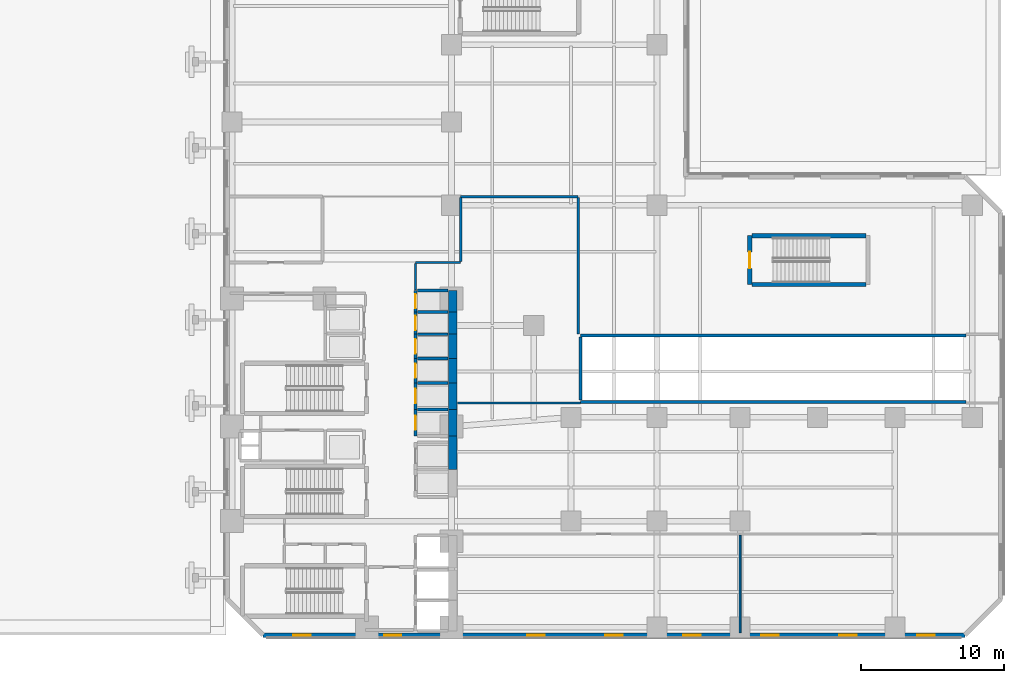
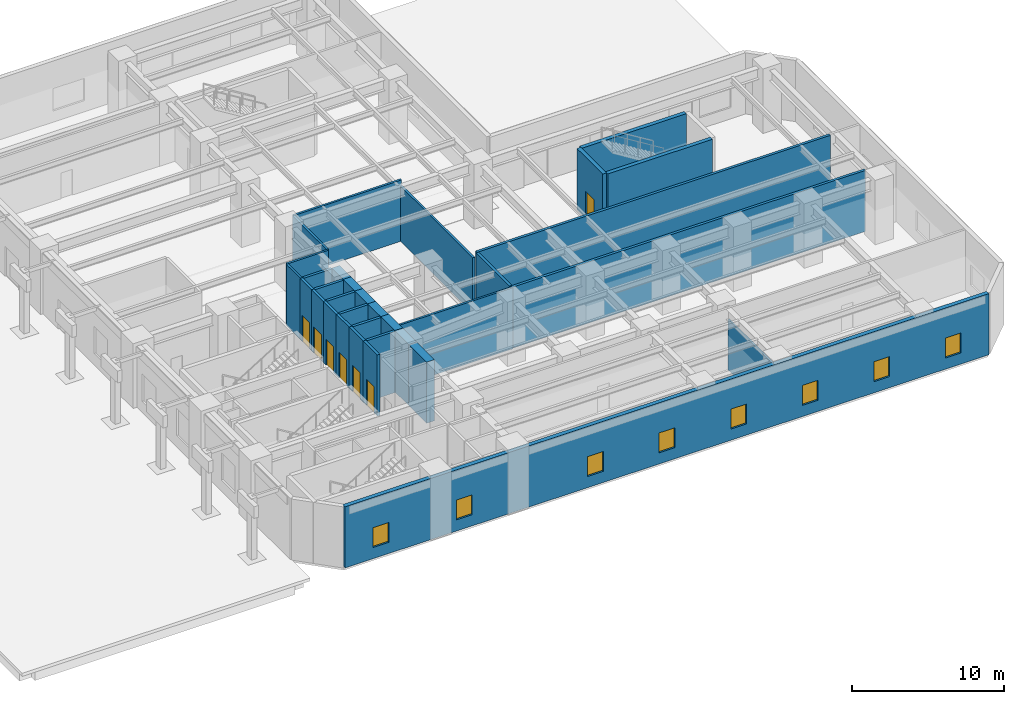
# One storey, part 5 of 14: 33 walls, 8 windows, 7 doors, 15 openings.
"""IFC4 building model written with IfcOpenShell, lengths in metres."""

from ifc_helpers import new_model, si_unit, direction, frame, frame_2d, origin, place, context, subcontext, project, spatial, rectangle, extrude, material, layer, layer_set, type_object, element, fill, save


model = new_model("IFC4")

# Units and contexts
model_context = context("Model", 3, precision=1e-05, world=origin(), true_north=direction((0.0, 1.0)))
body_context = subcontext(model_context, "Body", "Model", "MODEL_VIEW")
ifc_project = project(units=[si_unit("LENGTHUNIT", "METRE"), si_unit("AREAUNIT", "SQUARE_METRE"), si_unit("VOLUMEUNIT", "CUBIC_METRE"), si_unit("PLANEANGLEUNIT", "RADIAN"), si_unit("MASSUNIT", "GRAM", prefix="KILO")], contexts=[model_context])

# Site, building, storey
site_placement = place(None, origin())
site = spatial("IfcSite", under=ifc_project, at=site_placement, CompositionType="ELEMENT")
building_placement = place(site_placement, origin())
building = spatial("IfcBuilding", under=site, at=building_placement, Name="Mawjaban Terraces University", CompositionType="ELEMENT")
storey_placement = place(building_placement, origin())
storey = spatial("IfcBuildingStorey", under=building, at=storey_placement, Name="L00", CompositionType="ELEMENT", Elevation=0.0)

# Walls
ifc_material_1 = material(Name="Concrete C70/85", Category="concrete")
ifc_layer_1 = layer(ifc_material_1, 0.60009765625)
ifc_layer_set_1 = layer_set([ifc_layer_1], Name="Concrete C70/85")
wall_type_1 = type_object("IfcWallType", Name="CoreShearWall_600", PredefinedType="SHEAR", material=ifc_layer_set_1)
wall_1_placement = place(storey_placement, frame((37.75, 11.550048828125, 0.0), z_axis=(0.0, 0.0, 1.0), x_axis=(0.0, 1.0, 0.0)))
element("IfcWall", 1, at=wall_1_placement, inside=storey, type_object=wall_type_1, Name="L00 Lift PL-H2 Hoistway Wall East", PredefinedType="SHEAR", context=body_context, shape_type="SweptSolid", body=[
    extrude(rectangle(XDim=2.349853515625, YDim=0.60009765625, at=frame_2d((1.1748046875, 0.0))), origin(), (0.0, 0.0, 1.0), 4.919921875),
])
for number, where, z_axis, x_axis, name in (
    (2, (37.75, 13.89990234375, 0.0), (0.0, 0.0, 1.0), (0.0, 1.0, 0.0), "L00 Lift OL-1 Hoistway Wall East"),
    (3, (37.75, 15.75, 0.0), (0.0, 0.0, 1.0), (0.0, 1.0, 0.0), "L00 Lift OL-2 Hoistway Wall East"),
):
    element("IfcWall", number, at=place(storey_placement, frame(where, z_axis=z_axis, x_axis=x_axis)), inside=storey, type_object=wall_type_1, Name=name, PredefinedType="SHEAR", context=body_context, shape_type="SweptSolid", body=[
        extrude(rectangle(XDim=1.85009765625, YDim=0.60009765625, at=frame_2d((0.925048828125, 0.0))), origin(), (0.0, 0.0, 1.0), 4.919921875),
    ])
for number, where, z_axis, x_axis, name in (
    (4, (37.75, 17.60009765625, 0.0), (0.0, 0.0, 1.0), (0.0, 1.0, 0.0), "L00 Lift PL-M1 Hoistway Wall East"),
    (5, (37.75, 19.300048828125, 0.0), (0.0, 0.0, 1.0), (0.0, 1.0, 0.0), "L00 Lift PL-M2 Hoistway Wall East"),
):
    element("IfcWall", number, at=place(storey_placement, frame(where, z_axis=z_axis, x_axis=x_axis)), inside=storey, type_object=wall_type_1, Name=name, PredefinedType="SHEAR", context=body_context, shape_type="SweptSolid", body=[
        extrude(rectangle(XDim=1.699951171875, YDim=0.60009765625, at=frame_2d((0.85009765625, 0.0))), origin(), (0.0, 0.0, 1.0), 4.919921875),
    ])
wall_2_placement = place(storey_placement, frame((37.75, 21.0, 0.0), z_axis=(0.0, 0.0, 1.0), x_axis=(0.0, 1.0, 0.0)))
element("IfcWall", 6, at=wall_2_placement, inside=storey, type_object=wall_type_1, Name="L00 Lift PL-L1 Hoistway Wall East", PredefinedType="SHEAR", context=body_context, shape_type="SweptSolid", body=[
    extrude(rectangle(XDim=1.550048828125, YDim=0.60009765625, at=frame_2d((0.77490234375, 0.0))), origin(), (0.0, 0.0, 1.0), 4.919921875),
])
wall_3_placement = place(storey_placement, frame((37.75, 22.550048828125, 0.0), z_axis=(0.0, 0.0, 1.0), x_axis=(0.0, 1.0, 0.0)))
element("IfcWall", 7, at=wall_3_placement, inside=storey, type_object=wall_type_1, Name="L00 Lift PL-L2 Hoistway Wall East", PredefinedType="SHEAR", context=body_context, shape_type="SweptSolid", body=[
    extrude(rectangle(XDim=1.5, YDim=0.60009765625, at=frame_2d((0.75, 0.0))), origin(), (0.0, 0.0, 1.0), 4.919921875),
])
ifc_material_2 = material(Name="Fire-rated gypsum board on steel stud", Category="steel")
ifc_layer_2 = layer(ifc_material_2, 0.159912109375)
ifc_layer_set_2 = layer_set([ifc_layer_2], Name="Fire-rated gypsum board on steel stud")
wall_type_2 = type_object("IfcWallType", Name="CorridorPartition_160", PredefinedType="PARTITIONING", material=ifc_layer_set_2)
wall_4_placement = place(storey_placement, frame((35.14990234375, 26.0, 0.0), z_axis=(0.0, 0.0, 1.0), x_axis=(1.0, 0.0, 0.0)))
element("IfcWall", 8, at=wall_4_placement, inside=storey, type_object=wall_type_2, Name="L00 Core Entrance Vestibule Partition 11", PredefinedType="PARTITIONING", context=body_context, shape_type="SweptSolid", body=[
    extrude(rectangle(XDim=3.150146484375, YDim=0.159912109375, at=frame_2d((1.5751953125, 0.0))), origin(), (0.0, 0.0, 1.0), 4.919921875),
])
wall_5_placement = place(storey_placement, frame((38.300048828125, 30.60009765625, 0.0), z_axis=(0.0, 0.0, 1.0), x_axis=(1.0, 0.0, 0.0)))
element("IfcWall", 9, at=wall_5_placement, inside=storey, type_object=wall_type_2, Name="L00 Main Campus Entrance Concourse Partition 14", PredefinedType="PARTITIONING", context=body_context, shape_type="SweptSolid", body=[
    extrude(rectangle(XDim=8.199951171875, YDim=0.159912109375, at=frame_2d((4.10009765625, 0.0))), origin(), (0.0, 0.0, 1.0), 4.919921875),
])
wall_6_placement = place(storey_placement, frame((46.64990234375, 16.199951171875, 0.0), z_axis=(0.0, 0.0, 1.0), x_axis=(-1.0, 0.0, 0.0)))
element("IfcWall", 10, at=wall_6_placement, inside=storey, type_object=wall_type_2, Name="L00 Podium Lecture Theatre Foyer Partition 15", PredefinedType="PARTITIONING", context=body_context, shape_type="SweptSolid", body=[
    extrude(rectangle(XDim=8.56982421875, YDim=0.159912109375, at=frame_2d((4.284912109375, 0.0))), origin(), (0.0, 0.0, 1.0), 4.919921875),
])
wall_7_placement = place(storey_placement, frame((35.14990234375, 24.070068359375, 0.0), z_axis=(0.0, 0.0, 1.0), x_axis=(0.0, 1.0, 0.0)))
element("IfcWall", 11, at=wall_7_placement, inside=storey, type_object=wall_type_2, Name="L00 North Core Cross-Corridor Partition 28", PredefinedType="PARTITIONING", context=body_context, shape_type="SweptSolid", body=[
    extrude(rectangle(XDim=1.85498046875, YDim=0.159912109375, at=frame_2d((0.927490234375, 0.0))), origin(), (0.0, 0.0, 1.0), 4.919921875),
])
wall_8_placement = place(storey_placement, frame((38.300048828125, 26.074951171875, 0.0), z_axis=(0.0, 0.0, 1.0), x_axis=(0.0, 1.0, 0.0)))
element("IfcWall", 12, at=wall_8_placement, inside=storey, type_object=wall_type_2, Name="L00 Core Entrance Vestibule Partition 30", PredefinedType="PARTITIONING", context=body_context, shape_type="SweptSolid", body=[
    extrude(rectangle(XDim=4.449951171875, YDim=0.159912109375, at=frame_2d((2.22509765625, 0.0))), origin(), (0.0, 0.0, 1.0), 4.919921875),
])
wall_9_placement = place(storey_placement, frame((46.5, 30.52490234375, 0.0), z_axis=(0.0, 0.0, 1.0), x_axis=(0.0, -1.0, 0.0)))
element("IfcWall", 13, at=wall_9_placement, inside=storey, type_object=wall_type_2, Name="L00 Service Ramp Control Lobby Partition 31", PredefinedType="PARTITIONING", context=body_context, shape_type="SweptSolid", body=[
    extrude(rectangle(XDim=9.52490234375, YDim=0.159912109375, at=frame_2d((4.762451171875, 0.0))), origin(), (0.0, 0.0, 1.0), 4.450927734375),
])

# Wall, openings, windows
ifc_material_3 = material(Name="Insulated terracotta rainscreen on concrete backup C40/50", Category="masonry")
ifc_layer_3 = layer(ifc_material_3, 0.320068359375)
ifc_layer_set_3 = layer_set([ifc_layer_3], Name="Insulated terracotta rainscreen on concrete backup C40/50")
wall_type_3 = type_object("IfcWallType", Name="ExtTerracottaWall_320", PredefinedType="SOLIDWALL", material=ifc_layer_set_3)
wall_10_placement = place(storey_placement, frame((24.5, 0.0, 0.0), z_axis=(0.0, 0.0, 1.0), x_axis=(1.0, 0.0, 0.0)))
wall_10 = element("IfcWall", 14, at=wall_10_placement, inside=storey, type_object=wall_type_3, Name="L00 Exterior Terracotta Wall 1", PredefinedType="SOLIDWALL", context=body_context, shape_type="SweptSolid", body=[
    extrude(rectangle(XDim=49.0, YDim=0.320068359375, at=frame_2d((24.5, 0.0))), origin(), (0.0, 0.0, 1.0), 4.919921875),
])
opening_1_placement = place(wall_10_placement, frame((2.1220703125, 0.0, 0.89990234375)))
opening_1 = element("IfcOpeningElement", 15, at=opening_1_placement, cuts=wall_10, Name="Opening W-01", PredefinedType="OPENING", context=body_context, shape_type="SweptSolid", body=[
    extrude(rectangle(XDim=1.199951171875, YDim=1.60009765625, at=frame_2d((0.60009765625, 0.800048828125))), frame((0.0, 0.169921875, 0.0), z_axis=(0.0, -1.0, 0.0), x_axis=(1.0, 0.0, 0.0)), (0.0, 0.0, 1.0), 0.340087890625),
])
opening_2_placement = place(wall_10_placement, frame((8.467041015625, 0.0, 0.89990234375)))
opening_2 = element("IfcOpeningElement", 16, at=opening_2_placement, cuts=wall_10, Name="Opening W-01", PredefinedType="OPENING", context=body_context, shape_type="SweptSolid", body=[
    extrude(rectangle(XDim=1.199951171875, YDim=1.60009765625, at=frame_2d((0.60009765625, 0.800048828125))), frame((0.0, 0.169921875, 0.0), z_axis=(0.0, -1.0, 0.0), x_axis=(1.0, 0.0, 0.0)), (0.0, 0.0, 1.0), 0.340087890625),
])
opening_3_placement = place(wall_10_placement, frame((18.4560546875, 0.0, 0.89990234375)))
opening_3 = element("IfcOpeningElement", 17, at=opening_3_placement, cuts=wall_10, Name="Opening W-01", PredefinedType="OPENING", context=body_context, shape_type="SweptSolid", body=[
    extrude(rectangle(XDim=1.199951171875, YDim=1.60009765625, at=frame_2d((0.60009765625, 0.800048828125))), frame((0.0, 0.169921875, 0.0), z_axis=(0.0, -1.0, 0.0), x_axis=(1.0, 0.0, 0.0)), (0.0, 0.0, 1.0), 0.340087890625),
])
opening_4_placement = place(wall_10_placement, frame((23.89990234375, 0.0, 0.89990234375)))
opening_4 = element("IfcOpeningElement", 18, at=opening_4_placement, cuts=wall_10, Name="Opening W-01", PredefinedType="OPENING", context=body_context, shape_type="SweptSolid", body=[
    extrude(rectangle(XDim=1.199951171875, YDim=1.60009765625, at=frame_2d((0.60009765625, 0.800048828125))), frame((0.0, 0.169921875, 0.0), z_axis=(0.0, -1.0, 0.0), x_axis=(1.0, 0.0, 0.0)), (0.0, 0.0, 1.0), 0.340087890625),
])
opening_5_placement = place(wall_10_placement, frame((29.343994140625, 0.0, 0.89990234375)))
opening_5 = element("IfcOpeningElement", 19, at=opening_5_placement, cuts=wall_10, Name="Opening W-01", PredefinedType="OPENING", context=body_context, shape_type="SweptSolid", body=[
    extrude(rectangle(XDim=1.199951171875, YDim=1.60009765625, at=frame_2d((0.60009765625, 0.800048828125))), frame((0.0, 0.169921875, 0.0), z_axis=(0.0, -1.0, 0.0), x_axis=(1.0, 0.0, 0.0)), (0.0, 0.0, 1.0), 0.340087890625),
])
opening_6_placement = place(wall_10_placement, frame((34.7890625, 0.0, 0.89990234375)))
opening_6 = element("IfcOpeningElement", 20, at=opening_6_placement, cuts=wall_10, Name="Opening W-01", PredefinedType="OPENING", context=body_context, shape_type="SweptSolid", body=[
    extrude(rectangle(XDim=1.199951171875, YDim=1.60009765625, at=frame_2d((0.60009765625, 0.800048828125))), frame((0.0, 0.169921875, 0.0), z_axis=(0.0, -1.0, 0.0), x_axis=(1.0, 0.0, 0.0)), (0.0, 0.0, 1.0), 0.340087890625),
])
opening_7_placement = place(wall_10_placement, frame((40.23291015625, 0.0, 0.89990234375)))
opening_7 = element("IfcOpeningElement", 21, at=opening_7_placement, cuts=wall_10, Name="Opening W-01", PredefinedType="OPENING", context=body_context, shape_type="SweptSolid", body=[
    extrude(rectangle(XDim=1.199951171875, YDim=1.60009765625, at=frame_2d((0.60009765625, 0.800048828125))), frame((0.0, 0.169921875, 0.0), z_axis=(0.0, -1.0, 0.0), x_axis=(1.0, 0.0, 0.0)), (0.0, 0.0, 1.0), 0.340087890625),
])
opening_8_placement = place(wall_10_placement, frame((45.677978515625, 0.0, 0.89990234375)))
opening_8 = element("IfcOpeningElement", 22, at=opening_8_placement, cuts=wall_10, Name="Opening W-01", PredefinedType="OPENING", context=body_context, shape_type="SweptSolid", body=[
    extrude(rectangle(XDim=1.199951171875, YDim=1.60009765625, at=frame_2d((0.60009765625, 0.800048828125))), frame((0.0, 0.169921875, 0.0), z_axis=(0.0, -1.0, 0.0), x_axis=(1.0, 0.0, 0.0)), (0.0, 0.0, 1.0), 0.340087890625),
])
ifc_material_4 = material(Name="Low-E solar-control double glazing in thermally broken aluminium frame", Category="aluminium")
window_type = type_object("IfcWindowType", Name="Win_1200x1600", PartitioningType="SINGLE_PANEL", PredefinedType="WINDOW", material=ifc_material_4)
window_1_placement = place(opening_1_placement, origin())
window_1 = element("IfcWindow", 23, at=window_1_placement, inside=storey, type_object=window_type, Name="L00 Facade Window 1.1", OverallHeight=1.60009765625, OverallWidth=1.199951171875, PartitioningType="SINGLE_PANEL", PredefinedType="WINDOW", context=body_context, shape_type="SweptSolid", body=[
    extrude(rectangle(XDim=1.199951171875, YDim=1.60009765625, at=frame_2d((0.60009765625, 0.800048828125))), frame((0.0, 0.030029296875, 0.0), z_axis=(0.0, -1.0, 0.0), x_axis=(1.0, 0.0, 0.0)), (0.0, 0.0, 1.0), 0.06005859375),
])
fill(opening_1, window_1)
window_2_placement = place(opening_2_placement, origin())
window_2 = element("IfcWindow", 24, at=window_2_placement, inside=storey, type_object=window_type, Name="L00 Facade Window 1.2", OverallHeight=1.60009765625, OverallWidth=1.199951171875, PartitioningType="SINGLE_PANEL", PredefinedType="WINDOW", context=body_context, shape_type="SweptSolid", body=[
    extrude(rectangle(XDim=1.199951171875, YDim=1.60009765625, at=frame_2d((0.60009765625, 0.800048828125))), frame((0.0, 0.030029296875, 0.0), z_axis=(0.0, -1.0, 0.0), x_axis=(1.0, 0.0, 0.0)), (0.0, 0.0, 1.0), 0.06005859375),
])
fill(opening_2, window_2)
window_3_placement = place(opening_3_placement, origin())
window_3 = element("IfcWindow", 25, at=window_3_placement, inside=storey, type_object=window_type, Name="L00 Facade Window 1.4", OverallHeight=1.60009765625, OverallWidth=1.199951171875, PartitioningType="SINGLE_PANEL", PredefinedType="WINDOW", context=body_context, shape_type="SweptSolid", body=[
    extrude(rectangle(XDim=1.199951171875, YDim=1.60009765625, at=frame_2d((0.60009765625, 0.800048828125))), frame((0.0, 0.030029296875, 0.0), z_axis=(0.0, -1.0, 0.0), x_axis=(1.0, 0.0, 0.0)), (0.0, 0.0, 1.0), 0.06005859375),
])
fill(opening_3, window_3)
window_4_placement = place(opening_4_placement, origin())
window_4 = element("IfcWindow", 26, at=window_4_placement, inside=storey, type_object=window_type, Name="L00 Facade Window 1.5", OverallHeight=1.60009765625, OverallWidth=1.199951171875, PartitioningType="SINGLE_PANEL", PredefinedType="WINDOW", context=body_context, shape_type="SweptSolid", body=[
    extrude(rectangle(XDim=1.199951171875, YDim=1.60009765625, at=frame_2d((0.60009765625, 0.800048828125))), frame((0.0, 0.030029296875, 0.0), z_axis=(0.0, -1.0, 0.0), x_axis=(1.0, 0.0, 0.0)), (0.0, 0.0, 1.0), 0.06005859375),
])
fill(opening_4, window_4)
window_5_placement = place(opening_5_placement, origin())
window_5 = element("IfcWindow", 27, at=window_5_placement, inside=storey, type_object=window_type, Name="L00 Facade Window 1.6", OverallHeight=1.60009765625, OverallWidth=1.199951171875, PartitioningType="SINGLE_PANEL", PredefinedType="WINDOW", context=body_context, shape_type="SweptSolid", body=[
    extrude(rectangle(XDim=1.199951171875, YDim=1.60009765625, at=frame_2d((0.60009765625, 0.800048828125))), frame((0.0, 0.030029296875, 0.0), z_axis=(0.0, -1.0, 0.0), x_axis=(1.0, 0.0, 0.0)), (0.0, 0.0, 1.0), 0.06005859375),
])
fill(opening_5, window_5)
window_6_placement = place(opening_6_placement, origin())
window_6 = element("IfcWindow", 28, at=window_6_placement, inside=storey, type_object=window_type, Name="L00 Facade Window 1.7", OverallHeight=1.60009765625, OverallWidth=1.199951171875, PartitioningType="SINGLE_PANEL", PredefinedType="WINDOW", context=body_context, shape_type="SweptSolid", body=[
    extrude(rectangle(XDim=1.199951171875, YDim=1.60009765625, at=frame_2d((0.60009765625, 0.800048828125))), frame((0.0, 0.030029296875, 0.0), z_axis=(0.0, -1.0, 0.0), x_axis=(1.0, 0.0, 0.0)), (0.0, 0.0, 1.0), 0.06005859375),
])
fill(opening_6, window_6)
window_7_placement = place(opening_7_placement, origin())
window_7 = element("IfcWindow", 29, at=window_7_placement, inside=storey, type_object=window_type, Name="L00 Facade Window 1.8", OverallHeight=1.60009765625, OverallWidth=1.199951171875, PartitioningType="SINGLE_PANEL", PredefinedType="WINDOW", context=body_context, shape_type="SweptSolid", body=[
    extrude(rectangle(XDim=1.199951171875, YDim=1.60009765625, at=frame_2d((0.60009765625, 0.800048828125))), frame((0.0, 0.030029296875, 0.0), z_axis=(0.0, -1.0, 0.0), x_axis=(1.0, 0.0, 0.0)), (0.0, 0.0, 1.0), 0.06005859375),
])
fill(opening_7, window_7)
window_8_placement = place(opening_8_placement, origin())
window_8 = element("IfcWindow", 30, at=window_8_placement, inside=storey, type_object=window_type, Name="L00 Facade Window 1.9", OverallHeight=1.60009765625, OverallWidth=1.199951171875, PartitioningType="SINGLE_PANEL", PredefinedType="WINDOW", context=body_context, shape_type="SweptSolid", body=[
    extrude(rectangle(XDim=1.199951171875, YDim=1.60009765625, at=frame_2d((0.60009765625, 0.800048828125))), frame((0.0, 0.030029296875, 0.0), z_axis=(0.0, -1.0, 0.0), x_axis=(1.0, 0.0, 0.0)), (0.0, 0.0, 1.0), 0.06005859375),
])
fill(opening_8, window_8)

# Wall, opening, door
ifc_material_5 = material(Name="Concrete C40/50", Category="concrete")
ifc_layer_4 = layer(ifc_material_5, 0.199951171875)
ifc_layer_set_4 = layer_set([ifc_layer_4], Name="Concrete C40/50")
wall_type_4 = type_object("IfcWallType", Name="FireLobbyWall_200", PredefinedType="SOLIDWALL", material=ifc_layer_set_4)
wall_11_placement = place(storey_placement, frame((35.14990234375, 15.75, 0.0), z_axis=(0.0, 0.0, 1.0), x_axis=(0.0, -1.0, 0.0)))
wall_11 = element("IfcWall", 31, at=wall_11_placement, inside=storey, type_object=wall_type_4, Name="L00 Lift OL-1 Hoistway Wall West", PredefinedType="SOLIDWALL", context=body_context, shape_type="SweptSolid", body=[
    extrude(rectangle(XDim=1.85009765625, YDim=0.199951171875, at=frame_2d((0.925048828125, 0.0))), origin(), (0.0, 0.0, 1.0), 4.919921875),
])
opening_9_placement = place(wall_11_placement, frame((0.425048828125, 0.0, 0.0)))
opening_9 = element("IfcOpeningElement", 32, at=opening_9_placement, cuts=wall_11, Name="Opening LD-OL-1", PredefinedType="OPENING", context=body_context, shape_type="SweptSolid", body=[
    extrude(rectangle(XDim=1.0, YDim=2.10009765625, at=frame_2d((0.5, 1.050048828125))), frame((0.0, 0.10986328125, 0.0), z_axis=(0.0, -1.0, 0.0), x_axis=(1.0, 0.0, 0.0)), (0.0, 0.0, 1.0), 0.219970703125),
])
ifc_material_6 = material(Name="Powder-coated steel frame and fire-rated steel-faced leaf", Category="steel")
door_type_1 = type_object("IfcDoorType", Name="LiftLandingSliding_1000x2100", OperationType="NOTDEFINED", PredefinedType="DOOR", material=ifc_material_6)
door_1_placement = place(opening_9_placement, origin())
door_1 = element("IfcDoor", 33, at=door_1_placement, inside=storey, type_object=door_type_1, Name="L00 Lift OL-1 Sliding Landing Door", OperationType="DOUBLE_DOOR_SLIDING", OverallHeight=2.10009765625, OverallWidth=1.0, PredefinedType="DOOR", context=body_context, shape_type="SweptSolid", body=[
    extrude(rectangle(XDim=1.0, YDim=2.10009765625, at=frame_2d((0.5, 1.050048828125))), frame((0.0, 0.02490234375, 0.0), z_axis=(0.0, -1.0, 0.0), x_axis=(1.0, 0.0, 0.0)), (0.0, 0.0, 1.0), 0.050048828125),
])
fill(opening_9, door_1)

# Wall
wall_12_placement = place(storey_placement, frame((37.419921875, 15.75, 0.0), z_axis=(0.0, 0.0, 1.0), x_axis=(-1.0, 0.0, 0.0)))
element("IfcWall", 34, at=wall_12_placement, inside=storey, type_object=wall_type_4, Name="L00 Lift OL-1 Hoistway Wall North", PredefinedType="SOLIDWALL", context=body_context, shape_type="SweptSolid", body=[
    extrude(rectangle(XDim=2.139892578125, YDim=0.199951171875, at=frame_2d((1.06982421875, 0.0))), origin(), (0.0, 0.0, 1.0), 4.919921875),
])

# Wall, opening, door
wall_13_placement = place(storey_placement, frame((35.14990234375, 17.60009765625, 0.0), z_axis=(0.0, 0.0, 1.0), x_axis=(0.0, -1.0, 0.0)))
wall_13 = element("IfcWall", 35, at=wall_13_placement, inside=storey, type_object=wall_type_4, Name="L00 Lift OL-2 Hoistway Wall West", PredefinedType="SOLIDWALL", context=body_context, shape_type="SweptSolid", body=[
    extrude(rectangle(XDim=1.85009765625, YDim=0.199951171875, at=frame_2d((0.925048828125, 0.0))), origin(), (0.0, 0.0, 1.0), 4.919921875),
])
opening_10_placement = place(wall_13_placement, frame((0.425048828125, 0.0, 0.0)))
opening_10 = element("IfcOpeningElement", 36, at=opening_10_placement, cuts=wall_13, Name="Opening LD-OL-2", PredefinedType="OPENING", context=body_context, shape_type="SweptSolid", body=[
    extrude(rectangle(XDim=1.0, YDim=2.10009765625, at=frame_2d((0.5, 1.050048828125))), frame((0.0, 0.10986328125, 0.0), z_axis=(0.0, -1.0, 0.0), x_axis=(1.0, 0.0, 0.0)), (0.0, 0.0, 1.0), 0.219970703125),
])
door_2_placement = place(opening_10_placement, origin())
door_2 = element("IfcDoor", 37, at=door_2_placement, inside=storey, type_object=door_type_1, Name="L00 Lift OL-2 Sliding Landing Door", OperationType="DOUBLE_DOOR_SLIDING", OverallHeight=2.10009765625, OverallWidth=1.0, PredefinedType="DOOR", context=body_context, shape_type="SweptSolid", body=[
    extrude(rectangle(XDim=1.0, YDim=2.10009765625, at=frame_2d((0.5, 1.050048828125))), frame((0.0, 0.02490234375, 0.0), z_axis=(0.0, -1.0, 0.0), x_axis=(1.0, 0.0, 0.0)), (0.0, 0.0, 1.0), 0.050048828125),
])
fill(opening_10, door_2)

# Wall
wall_14_placement = place(storey_placement, frame((37.419921875, 17.60009765625, 0.0), z_axis=(0.0, 0.0, 1.0), x_axis=(-1.0, 0.0, 0.0)))
element("IfcWall", 38, at=wall_14_placement, inside=storey, type_object=wall_type_4, Name="L00 Lift OL-2 Hoistway Wall North", PredefinedType="SOLIDWALL", context=body_context, shape_type="SweptSolid", body=[
    extrude(rectangle(XDim=2.139892578125, YDim=0.199951171875, at=frame_2d((1.06982421875, 0.0))), origin(), (0.0, 0.0, 1.0), 4.919921875),
])

# Wall, opening, door
wall_15_placement = place(storey_placement, frame((35.14990234375, 19.300048828125, 0.0), z_axis=(0.0, 0.0, 1.0), x_axis=(0.0, -1.0, 0.0)))
wall_15 = element("IfcWall", 39, at=wall_15_placement, inside=storey, type_object=wall_type_4, Name="L00 Lift PL-M1 Hoistway Wall West", PredefinedType="SOLIDWALL", context=body_context, shape_type="SweptSolid", body=[
    extrude(rectangle(XDim=1.699951171875, YDim=0.199951171875, at=frame_2d((0.85009765625, 0.0))), origin(), (0.0, 0.0, 1.0), 4.919921875),
])
opening_11_placement = place(wall_15_placement, frame((0.35009765625, 0.0, 0.0)))
opening_11 = element("IfcOpeningElement", 40, at=opening_11_placement, cuts=wall_15, Name="Opening LD-PL-M1", PredefinedType="OPENING", context=body_context, shape_type="SweptSolid", body=[
    extrude(rectangle(XDim=1.0, YDim=2.10009765625, at=frame_2d((0.5, 1.050048828125))), frame((0.0, 0.10986328125, 0.0), z_axis=(0.0, -1.0, 0.0), x_axis=(1.0, 0.0, 0.0)), (0.0, 0.0, 1.0), 0.219970703125),
])
door_3_placement = place(opening_11_placement, origin())
door_3 = element("IfcDoor", 41, at=door_3_placement, inside=storey, type_object=door_type_1, Name="L00 Lift PL-M1 Sliding Landing Door", OperationType="DOUBLE_DOOR_SLIDING", OverallHeight=2.10009765625, OverallWidth=1.0, PredefinedType="DOOR", context=body_context, shape_type="SweptSolid", body=[
    extrude(rectangle(XDim=1.0, YDim=2.10009765625, at=frame_2d((0.5, 1.050048828125))), frame((0.0, 0.02490234375, 0.0), z_axis=(0.0, -1.0, 0.0), x_axis=(1.0, 0.0, 0.0)), (0.0, 0.0, 1.0), 0.050048828125),
])
fill(opening_11, door_3)

# Wall
wall_16_placement = place(storey_placement, frame((37.419921875, 19.300048828125, 0.0), z_axis=(0.0, 0.0, 1.0), x_axis=(-1.0, 0.0, 0.0)))
element("IfcWall", 42, at=wall_16_placement, inside=storey, type_object=wall_type_4, Name="L00 Lift PL-M1 Hoistway Wall North", PredefinedType="SOLIDWALL", context=body_context, shape_type="SweptSolid", body=[
    extrude(rectangle(XDim=2.139892578125, YDim=0.199951171875, at=frame_2d((1.06982421875, 0.0))), origin(), (0.0, 0.0, 1.0), 4.919921875),
])

# Wall, opening, door
wall_17_placement = place(storey_placement, frame((35.14990234375, 21.0, 0.0), z_axis=(0.0, 0.0, 1.0), x_axis=(0.0, -1.0, 0.0)))
wall_17 = element("IfcWall", 43, at=wall_17_placement, inside=storey, type_object=wall_type_4, Name="L00 Lift PL-M2 Hoistway Wall West", PredefinedType="SOLIDWALL", context=body_context, shape_type="SweptSolid", body=[
    extrude(rectangle(XDim=1.699951171875, YDim=0.199951171875, at=frame_2d((0.85009765625, 0.0))), origin(), (0.0, 0.0, 1.0), 4.919921875),
])
opening_12_placement = place(wall_17_placement, frame((0.35009765625, 0.0, 0.0)))
opening_12 = element("IfcOpeningElement", 44, at=opening_12_placement, cuts=wall_17, Name="Opening LD-PL-M2", PredefinedType="OPENING", context=body_context, shape_type="SweptSolid", body=[
    extrude(rectangle(XDim=1.0, YDim=2.10009765625, at=frame_2d((0.5, 1.050048828125))), frame((0.0, 0.10986328125, 0.0), z_axis=(0.0, -1.0, 0.0), x_axis=(1.0, 0.0, 0.0)), (0.0, 0.0, 1.0), 0.219970703125),
])
door_4_placement = place(opening_12_placement, origin())
door_4 = element("IfcDoor", 45, at=door_4_placement, inside=storey, type_object=door_type_1, Name="L00 Lift PL-M2 Sliding Landing Door", OperationType="DOUBLE_DOOR_SLIDING", OverallHeight=2.10009765625, OverallWidth=1.0, PredefinedType="DOOR", context=body_context, shape_type="SweptSolid", body=[
    extrude(rectangle(XDim=1.0, YDim=2.10009765625, at=frame_2d((0.5, 1.050048828125))), frame((0.0, 0.02490234375, 0.0), z_axis=(0.0, -1.0, 0.0), x_axis=(1.0, 0.0, 0.0)), (0.0, 0.0, 1.0), 0.050048828125),
])
fill(opening_12, door_4)

# Wall
wall_18_placement = place(storey_placement, frame((37.419921875, 21.0, 0.0), z_axis=(0.0, 0.0, 1.0), x_axis=(-1.0, 0.0, 0.0)))
element("IfcWall", 46, at=wall_18_placement, inside=storey, type_object=wall_type_4, Name="L00 Lift PL-M2 Hoistway Wall North", PredefinedType="SOLIDWALL", context=body_context, shape_type="SweptSolid", body=[
    extrude(rectangle(XDim=2.139892578125, YDim=0.199951171875, at=frame_2d((1.06982421875, 0.0))), origin(), (0.0, 0.0, 1.0), 4.919921875),
])

# Wall, opening, door
wall_19_placement = place(storey_placement, frame((35.14990234375, 22.550048828125, 0.0), z_axis=(0.0, 0.0, 1.0), x_axis=(0.0, -1.0, 0.0)))
wall_19 = element("IfcWall", 47, at=wall_19_placement, inside=storey, type_object=wall_type_4, Name="L00 Lift PL-L1 Hoistway Wall West", PredefinedType="SOLIDWALL", context=body_context, shape_type="SweptSolid", body=[
    extrude(rectangle(XDim=1.550048828125, YDim=0.199951171875, at=frame_2d((0.77490234375, 0.0))), origin(), (0.0, 0.0, 1.0), 4.919921875),
])
opening_13_placement = place(wall_19_placement, frame((0.27490234375, 0.0, 0.0)))
opening_13 = element("IfcOpeningElement", 48, at=opening_13_placement, cuts=wall_19, Name="Opening LD-PL-L1", PredefinedType="OPENING", context=body_context, shape_type="SweptSolid", body=[
    extrude(rectangle(XDim=1.0, YDim=2.10009765625, at=frame_2d((0.5, 1.050048828125))), frame((0.0, 0.10986328125, 0.0), z_axis=(0.0, -1.0, 0.0), x_axis=(1.0, 0.0, 0.0)), (0.0, 0.0, 1.0), 0.219970703125),
])
door_5_placement = place(opening_13_placement, origin())
door_5 = element("IfcDoor", 49, at=door_5_placement, inside=storey, type_object=door_type_1, Name="L00 Lift PL-L1 Sliding Landing Door", OperationType="DOUBLE_DOOR_SLIDING", OverallHeight=2.10009765625, OverallWidth=1.0, PredefinedType="DOOR", context=body_context, shape_type="SweptSolid", body=[
    extrude(rectangle(XDim=1.0, YDim=2.10009765625, at=frame_2d((0.5, 1.050048828125))), frame((0.0, 0.02490234375, 0.0), z_axis=(0.0, -1.0, 0.0), x_axis=(1.0, 0.0, 0.0)), (0.0, 0.0, 1.0), 0.050048828125),
])
fill(opening_13, door_5)

# Wall
wall_20_placement = place(storey_placement, frame((37.419921875, 22.550048828125, 0.0), z_axis=(0.0, 0.0, 1.0), x_axis=(-1.0, 0.0, 0.0)))
element("IfcWall", 50, at=wall_20_placement, inside=storey, type_object=wall_type_4, Name="L00 Lift PL-L1 Hoistway Wall North", PredefinedType="SOLIDWALL", context=body_context, shape_type="SweptSolid", body=[
    extrude(rectangle(XDim=2.139892578125, YDim=0.199951171875, at=frame_2d((1.06982421875, 0.0))), origin(), (0.0, 0.0, 1.0), 4.919921875),
])

# Wall, opening, door
wall_21_placement = place(storey_placement, frame((35.14990234375, 24.050048828125, 0.0), z_axis=(0.0, 0.0, 1.0), x_axis=(0.0, -1.0, 0.0)))
wall_21 = element("IfcWall", 51, at=wall_21_placement, inside=storey, type_object=wall_type_4, Name="L00 Lift PL-L2 Hoistway Wall West", PredefinedType="SOLIDWALL", context=body_context, shape_type="SweptSolid", body=[
    extrude(rectangle(XDim=1.5, YDim=0.199951171875, at=frame_2d((0.75, 0.0))), origin(), (0.0, 0.0, 1.0), 4.919921875),
])
opening_14_placement = place(wall_21_placement, frame((0.25, 0.0, 0.0)))
opening_14 = element("IfcOpeningElement", 52, at=opening_14_placement, cuts=wall_21, Name="Opening LD-PL-L2", PredefinedType="OPENING", context=body_context, shape_type="SweptSolid", body=[
    extrude(rectangle(XDim=1.0, YDim=2.10009765625, at=frame_2d((0.5, 1.050048828125))), frame((0.0, 0.10986328125, 0.0), z_axis=(0.0, -1.0, 0.0), x_axis=(1.0, 0.0, 0.0)), (0.0, 0.0, 1.0), 0.219970703125),
])
door_6_placement = place(opening_14_placement, origin())
door_6 = element("IfcDoor", 53, at=door_6_placement, inside=storey, type_object=door_type_1, Name="L00 Lift PL-L2 Sliding Landing Door", OperationType="DOUBLE_DOOR_SLIDING", OverallHeight=2.10009765625, OverallWidth=1.0, PredefinedType="DOOR", context=body_context, shape_type="SweptSolid", body=[
    extrude(rectangle(XDim=1.0, YDim=2.10009765625, at=frame_2d((0.5, 1.050048828125))), frame((0.0, 0.02490234375, 0.0), z_axis=(0.0, -1.0, 0.0), x_axis=(1.0, 0.0, 0.0)), (0.0, 0.0, 1.0), 0.050048828125),
])
fill(opening_14, door_6)

# Walls
wall_22_placement = place(storey_placement, frame((37.419921875, 24.050048828125, 0.0), z_axis=(0.0, 0.0, 1.0), x_axis=(-1.0, 0.0, 0.0)))
element("IfcWall", 54, at=wall_22_placement, inside=storey, type_object=wall_type_4, Name="L00 Lift PL-L2 Hoistway Wall North", PredefinedType="SOLIDWALL", context=body_context, shape_type="SweptSolid", body=[
    extrude(rectangle(XDim=2.139892578125, YDim=0.199951171875, at=frame_2d((1.06982421875, 0.0))), origin(), (0.0, 0.0, 1.0), 4.919921875),
])
for number, where, z_axis, x_axis, name in (
    (55, (46.64990234375, 16.280029296875, 0.0), (0.0, 0.0, 1.0), (1.0, 0.0, 0.0), "L00 Vehicle Ramp Enclosure Wall S"),
    (56, (46.64990234375, 20.919921875, 0.0), (0.0, 0.0, 1.0), (1.0, 0.0, 0.0), "L00 Vehicle Ramp Enclosure Wall N"),
):
    element("IfcWall", number, at=place(storey_placement, frame(where, z_axis=z_axis, x_axis=x_axis)), inside=storey, type_object=wall_type_4, Name=name, PredefinedType="SOLIDWALL", context=body_context, shape_type="SweptSolid", body=[
        extrude(rectangle(XDim=26.900146484375, YDim=0.199951171875, at=frame_2d((13.4501953125, 0.0))), origin(), (0.0, 0.0, 1.0), 4.919921875),
    ])
wall_23_placement = place(storey_placement, frame((46.64990234375, 16.39990234375, 0.0), z_axis=(0.0, 0.0, 1.0), x_axis=(0.0, 1.0, 0.0)))
element("IfcWall", 57, at=wall_23_placement, inside=storey, type_object=wall_type_4, Name="L00 Vehicle Ramp Enclosure Wall W", PredefinedType="SOLIDWALL", context=body_context, shape_type="SweptSolid", body=[
    extrude(rectangle(XDim=4.400146484375, YDim=0.199951171875, at=frame_2d((2.2001953125, 0.0))), origin(), (0.0, 0.0, 1.0), 4.919921875),
])
ifc_material_7 = material(Name="Gypsum plasterboard on steel stud", Category="steel")
ifc_layer_5 = layer(ifc_material_7, 0.125)
ifc_layer_set_5 = layer_set([ifc_layer_5], Name="Gypsum plasterboard on steel stud")
wall_type_5 = type_object("IfcWallType", Name="OfficePartition_125", PredefinedType="PARTITIONING", material=ifc_layer_set_5)
wall_24_placement = place(storey_placement, frame((57.800048828125, 0.155029296875, 0.0), z_axis=(0.0, 0.0, 1.0), x_axis=(0.0, 1.0, 0.0)))
element("IfcWall", 58, at=wall_24_placement, inside=storey, type_object=wall_type_5, Name="L00 Campus Security and Estates Office Partition 32", PredefinedType="PARTITIONING", context=body_context, shape_type="SweptSolid", body=[
    extrude(rectangle(XDim=6.820068359375, YDim=0.125, at=frame_2d((3.41015625, 0.0))), origin(), (0.0, 0.0, 1.0), 4.06494140625),
])
ifc_material_8 = material(Name="Concrete C60/75", Category="concrete")
ifc_layer_6 = layer(ifc_material_8, 0.300048828125)
ifc_layer_set_6 = layer_set([ifc_layer_6], Name="Concrete C60/75")
wall_type_6 = type_object("IfcWallType", Name="StairShaftWall_300", PredefinedType="SHEAR", material=ifc_layer_set_6)
for number, where, z_axis, x_axis, name in (
    (59, (58.6201171875, 24.469970703125, 0.0), (0.0, 0.0, 1.0), (1.0, 0.0, 0.0), "L00 ST-5 Stair Shaft Wall 1"),
    (60, (66.580078125, 27.8798828125, 0.0), (0.0, 0.0, 1.0), (-1.0, 0.0, 0.0), "L00 ST-5 Stair Shaft Wall 3"),
):
    element("IfcWall", number, at=place(storey_placement, frame(where, z_axis=z_axis, x_axis=x_axis)), inside=storey, type_object=wall_type_6, Name=name, PredefinedType="SHEAR", context=body_context, shape_type="SweptSolid", body=[
        extrude(rectangle(XDim=7.9599609375, YDim=0.300048828125, at=frame_2d((3.97998046875, 0.0))), origin(), (0.0, 0.0, 1.0), 4.919921875),
    ])

# Wall, opening, door
wall_25_placement = place(storey_placement, frame((58.469970703125, 27.8798828125, 0.0), z_axis=(0.0, 0.0, 1.0), x_axis=(0.0, -1.0, 0.0)))
wall_25 = element("IfcWall", 61, at=wall_25_placement, inside=storey, type_object=wall_type_6, Name="L00 ST-5 Stair Shaft Wall 4", PredefinedType="SHEAR", context=body_context, shape_type="SweptSolid", body=[
    extrude(rectangle(XDim=3.409912109375, YDim=0.300048828125, at=frame_2d((1.705078125, 0.0))), origin(), (0.0, 0.0, 1.0), 4.919921875),
])
opening_15_placement = place(wall_25_placement, frame((1.1298828125, 0.0, 0.0)))
opening_15 = element("IfcOpeningElement", 62, at=opening_15_placement, cuts=wall_25, Name="Opening FD-115", PredefinedType="OPENING", context=body_context, shape_type="SweptSolid", body=[
    extrude(rectangle(XDim=1.14990234375, YDim=2.14990234375, at=frame_2d((0.574951171875, 1.074951171875))), frame((0.0, 0.159912109375, 0.0), z_axis=(0.0, -1.0, 0.0), x_axis=(1.0, 0.0, 0.0)), (0.0, 0.0, 1.0), 0.320068359375),
])
door_type_2 = type_object("IfcDoorType", Name="FireStairDoor_1150x2150", OperationType="NOTDEFINED", PredefinedType="DOOR", material=ifc_material_6)
door_7_placement = place(opening_15_placement, origin())
door_7 = element("IfcDoor", 63, at=door_7_placement, inside=storey, type_object=door_type_2, Name="L00 ST-5 Pressurised Stair Fire Door", OperationType="SINGLE_SWING_LEFT", OverallHeight=2.14990234375, OverallWidth=1.14990234375, PredefinedType="DOOR", context=body_context, shape_type="SweptSolid", body=[
    extrude(rectangle(XDim=1.14990234375, YDim=2.14990234375, at=frame_2d((0.574951171875, 1.074951171875))), frame((0.0, 0.02490234375, 0.0), z_axis=(0.0, -1.0, 0.0), x_axis=(1.0, 0.0, 0.0)), (0.0, 0.0, 1.0), 0.050048828125),
])
fill(opening_15, door_7)

save(model, "model.ifc")
